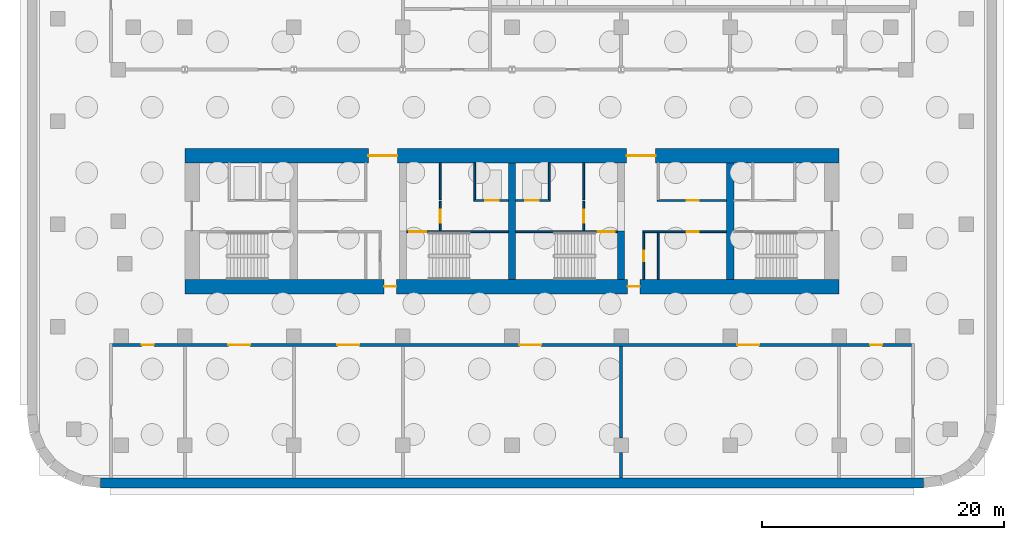
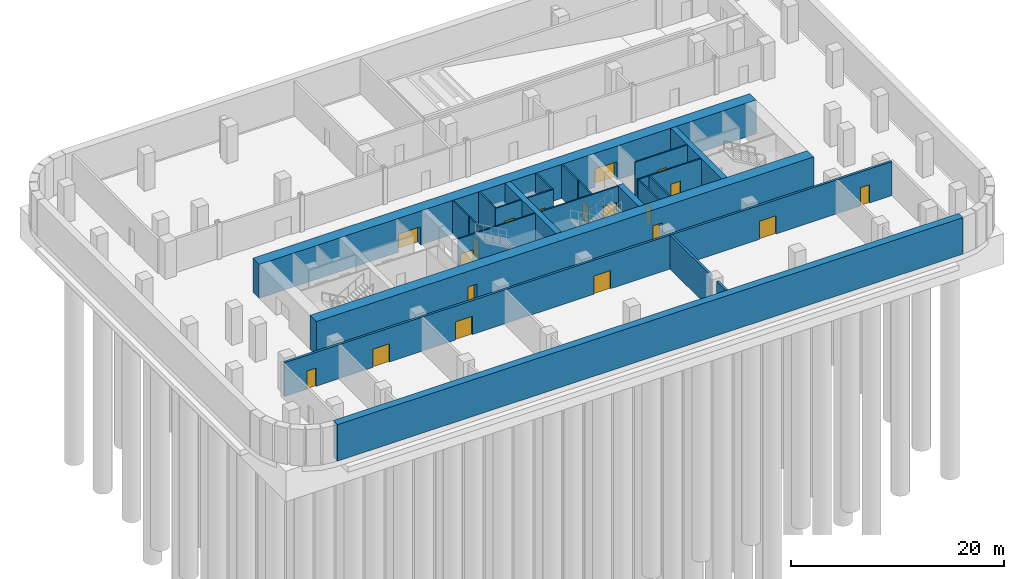
# One storey, part 4 of 8: 23 walls, 19 doors, 19 openings.
"""IFC4 building model written with IfcOpenShell, lengths in metres."""

from ifc_helpers import new_model, si_unit, direction, frame, frame_2d, origin, place, context, subcontext, project, spatial, rectangle, extrude, material, layer, layer_set, type_object, element, fill, save


model = new_model("IFC4")

# Units and contexts
model_context = context("Model", 3, precision=1e-05, world=origin(), true_north=direction((0.0, 1.0)))
body_context = subcontext(model_context, "Body", "Model", "MODEL_VIEW")
ifc_project = project(units=[si_unit("LENGTHUNIT", "METRE"), si_unit("AREAUNIT", "SQUARE_METRE"), si_unit("VOLUMEUNIT", "CUBIC_METRE"), si_unit("PLANEANGLEUNIT", "RADIAN"), si_unit("MASSUNIT", "GRAM", prefix="KILO")], contexts=[model_context])

# Site, building, storey
site_placement = place(None, origin())
site = spatial("IfcSite", under=ifc_project, at=site_placement, CompositionType="ELEMENT")
building_placement = place(site_placement, origin())
building = spatial("IfcBuilding", under=site, at=building_placement, Name="Zellij Exchange Tower", CompositionType="ELEMENT")
storey_placement = place(building_placement, frame((0.0, 0.0, -12.60009765625)))
storey = spatial("IfcBuildingStorey", under=building, at=storey_placement, Name="B3", CompositionType="ELEMENT", Elevation=-12.60009765625)

# Wall, openings, doors
ifc_material_1 = material(Name="Concrete C32/40", Category="concrete")
ifc_layer_1 = layer(ifc_material_1, 0.25)
ifc_layer_set_1 = layer_set([ifc_layer_1], Name="Concrete C32/40")
wall_type_1 = type_object("IfcWallType", Name="BSM-Wall 250", PredefinedType="SOLIDWALL", material=ifc_layer_set_1)
wall_1_placement = place(storey_placement, frame((-32.97509765625, -18.22509765625, 0.0), z_axis=(0.0, 0.0, 1.0), x_axis=(1.0, 0.0, 0.0)))
wall_1 = element("IfcWall", 1, at=wall_1_placement, inside=storey, type_object=wall_type_1, Name="Partition 1", PredefinedType="SOLIDWALL", context=body_context, shape_type="SweptSolid", body=[
    extrude(rectangle(XDim=65.9501953125, YDim=0.25, at=frame_2d((32.97509765625, 0.0))), origin(), (0.0, 0.0, 1.0), 3.900146484375),
])
opening_1_placement = place(wall_1_placement, frame((2.425048828125, 0.0, 0.0)))
opening_1 = element("IfcOpeningElement", 2, at=opening_1_placement, cuts=wall_1, Name="Opening BS3.01", PredefinedType="OPENING", context=body_context, shape_type="SweptSolid", body=[
    extrude(rectangle(XDim=1.0, YDim=2.10009765625, at=frame_2d((0.5, 1.050048828125))), frame((0.0, 0.136962890625, 0.0), z_axis=(0.0, -1.0, 0.0), x_axis=(1.0, 0.0, 0.0)), (0.0, 0.0, 1.0), 0.27392578125),
])
opening_2_placement = place(wall_1_placement, frame((9.574951171875, 0.0, 0.0)))
opening_2 = element("IfcOpeningElement", 3, at=opening_2_placement, cuts=wall_1, Name="Opening BS3.02", PredefinedType="OPENING", context=body_context, shape_type="SweptSolid", body=[
    extrude(rectangle(XDim=1.800048828125, YDim=2.10009765625, at=frame_2d((0.89990234375, 1.050048828125))), frame((0.0, 0.136962890625, 0.0), z_axis=(0.0, -1.0, 0.0), x_axis=(1.0, 0.0, 0.0)), (0.0, 0.0, 1.0), 0.27392578125),
])
opening_3_placement = place(wall_1_placement, frame((18.574951171875, 0.0, 0.0)))
opening_3 = element("IfcOpeningElement", 4, at=opening_3_placement, cuts=wall_1, Name="Opening BS3.03", PredefinedType="OPENING", context=body_context, shape_type="SweptSolid", body=[
    extrude(rectangle(XDim=1.800048828125, YDim=2.10009765625, at=frame_2d((0.89990234375, 1.050048828125))), frame((0.0, 0.136962890625, 0.0), z_axis=(0.0, -1.0, 0.0), x_axis=(1.0, 0.0, 0.0)), (0.0, 0.0, 1.0), 0.27392578125),
])
opening_4_placement = place(wall_1_placement, frame((33.574951171875, 0.0, 0.0)))
opening_4 = element("IfcOpeningElement", 5, at=opening_4_placement, cuts=wall_1, Name="Opening BS3.04", PredefinedType="OPENING", context=body_context, shape_type="SweptSolid", body=[
    extrude(rectangle(XDim=1.800048828125, YDim=2.10009765625, at=frame_2d((0.89990234375, 1.050048828125))), frame((0.0, 0.136962890625, 0.0), z_axis=(0.0, -1.0, 0.0), x_axis=(1.0, 0.0, 0.0)), (0.0, 0.0, 1.0), 0.27392578125),
])
opening_5_placement = place(wall_1_placement, frame((51.574951171875, 0.0, 0.0)))
opening_5 = element("IfcOpeningElement", 6, at=opening_5_placement, cuts=wall_1, Name="Opening BS3.05", PredefinedType="OPENING", context=body_context, shape_type="SweptSolid", body=[
    extrude(rectangle(XDim=1.800048828125, YDim=2.10009765625, at=frame_2d((0.89990234375, 1.050048828125))), frame((0.0, 0.136962890625, 0.0), z_axis=(0.0, -1.0, 0.0), x_axis=(1.0, 0.0, 0.0)), (0.0, 0.0, 1.0), 0.27392578125),
])
opening_6_placement = place(wall_1_placement, frame((62.52490234375, 0.0, 0.0)))
opening_6 = element("IfcOpeningElement", 7, at=opening_6_placement, cuts=wall_1, Name="Opening BS3.06", PredefinedType="OPENING", context=body_context, shape_type="SweptSolid", body=[
    extrude(rectangle(XDim=1.0, YDim=2.10009765625, at=frame_2d((0.5, 1.050048828125))), frame((0.0, 0.136962890625, 0.0), z_axis=(0.0, -1.0, 0.0), x_axis=(1.0, 0.0, 0.0)), (0.0, 0.0, 1.0), 0.27392578125),
])
ifc_material_2 = material(Name="Painted steel door leaf", Category="steel")
door_type_1 = type_object("IfcDoorType", Name="BSM-Door 1000x2100 FD90", OperationType="SINGLE_SWING_LEFT", PredefinedType="DOOR", material=ifc_material_2)
door_1_placement = place(opening_1_placement, origin())
door_1 = element("IfcDoor", 8, at=door_1_placement, inside=storey, type_object=door_type_1, Name="bsm.B3.door.BS3.01", OperationType="SINGLE_SWING_LEFT", OverallHeight=2.10009765625, OverallWidth=1.0, PredefinedType="DOOR", context=body_context, shape_type="SweptSolid", body=[
    extrude(rectangle(XDim=1.0, YDim=2.10009765625, at=frame_2d((0.5, 1.050048828125))), frame((0.0, 0.02490234375, 0.0), z_axis=(0.0, -1.0, 0.0), x_axis=(1.0, 0.0, 0.0)), (0.0, 0.0, 1.0), 0.050048828125),
])
fill(opening_1, door_1)
door_2_placement = place(opening_6_placement, origin())
door_2 = element("IfcDoor", 9, at=door_2_placement, inside=storey, type_object=door_type_1, Name="bsm.B3.door.BS3.06", OperationType="SINGLE_SWING_LEFT", OverallHeight=2.10009765625, OverallWidth=1.0, PredefinedType="DOOR", context=body_context, shape_type="SweptSolid", body=[
    extrude(rectangle(XDim=1.0, YDim=2.10009765625, at=frame_2d((0.5, 1.050048828125))), frame((0.0, 0.02490234375, 0.0), z_axis=(0.0, -1.0, 0.0), x_axis=(1.0, 0.0, 0.0)), (0.0, 0.0, 1.0), 0.050048828125),
])
fill(opening_6, door_2)
door_type_2 = type_object("IfcDoorType", Name="BSM-Double door 1800x2100 FD90", OperationType="DOUBLE_DOOR_SINGLE_SWING", PredefinedType="DOOR", material=ifc_material_2)
door_3_placement = place(opening_2_placement, origin())
door_3 = element("IfcDoor", 10, at=door_3_placement, inside=storey, type_object=door_type_2, Name="bsm.B3.door.BS3.02", OperationType="DOUBLE_DOOR_SINGLE_SWING", OverallHeight=2.10009765625, OverallWidth=1.800048828125, PredefinedType="DOOR", context=body_context, shape_type="SweptSolid", body=[
    extrude(rectangle(XDim=1.800048828125, YDim=2.10009765625, at=frame_2d((0.89990234375, 1.050048828125))), frame((0.0, 0.02490234375, 0.0), z_axis=(0.0, -1.0, 0.0), x_axis=(1.0, 0.0, 0.0)), (0.0, 0.0, 1.0), 0.050048828125),
])
fill(opening_2, door_3)
door_4_placement = place(opening_3_placement, origin())
door_4 = element("IfcDoor", 11, at=door_4_placement, inside=storey, type_object=door_type_2, Name="bsm.B3.door.BS3.03", OperationType="DOUBLE_DOOR_SINGLE_SWING", OverallHeight=2.10009765625, OverallWidth=1.800048828125, PredefinedType="DOOR", context=body_context, shape_type="SweptSolid", body=[
    extrude(rectangle(XDim=1.800048828125, YDim=2.10009765625, at=frame_2d((0.89990234375, 1.050048828125))), frame((0.0, 0.02490234375, 0.0), z_axis=(0.0, -1.0, 0.0), x_axis=(1.0, 0.0, 0.0)), (0.0, 0.0, 1.0), 0.050048828125),
])
fill(opening_3, door_4)
door_5_placement = place(opening_4_placement, origin())
door_5 = element("IfcDoor", 12, at=door_5_placement, inside=storey, type_object=door_type_2, Name="bsm.B3.door.BS3.04", OperationType="DOUBLE_DOOR_SINGLE_SWING", OverallHeight=2.10009765625, OverallWidth=1.800048828125, PredefinedType="DOOR", context=body_context, shape_type="SweptSolid", body=[
    extrude(rectangle(XDim=1.800048828125, YDim=2.10009765625, at=frame_2d((0.89990234375, 1.050048828125))), frame((0.0, 0.02490234375, 0.0), z_axis=(0.0, -1.0, 0.0), x_axis=(1.0, 0.0, 0.0)), (0.0, 0.0, 1.0), 0.050048828125),
])
fill(opening_4, door_5)
door_6_placement = place(opening_5_placement, origin())
door_6 = element("IfcDoor", 13, at=door_6_placement, inside=storey, type_object=door_type_2, Name="bsm.B3.door.BS3.05", OperationType="DOUBLE_DOOR_SINGLE_SWING", OverallHeight=2.10009765625, OverallWidth=1.800048828125, PredefinedType="DOOR", context=body_context, shape_type="SweptSolid", body=[
    extrude(rectangle(XDim=1.800048828125, YDim=2.10009765625, at=frame_2d((0.89990234375, 1.050048828125))), frame((0.0, 0.02490234375, 0.0), z_axis=(0.0, -1.0, 0.0), x_axis=(1.0, 0.0, 0.0)), (0.0, 0.0, 1.0), 0.050048828125),
])
fill(opening_5, door_6)

# Walls
wall_2_placement = place(storey_placement, frame((9.0, -29.199951171875, 0.0), z_axis=(0.0, 0.0, 1.0), x_axis=(0.0, 1.0, 0.0)))
element("IfcWall", 14, at=wall_2_placement, inside=storey, type_object=wall_type_1, Name="Partition 27", PredefinedType="SOLIDWALL", context=body_context, shape_type="SweptSolid", body=[
    extrude(rectangle(XDim=2.099853515625, YDim=0.25, at=frame_2d((1.0498046875, 0.0))), origin(), (0.0, 0.0, 1.0), 3.900146484375),
])
wall_3_placement = place(storey_placement, frame((9.0, -25.89990234375, 0.0), z_axis=(0.0, 0.0, 1.0), x_axis=(0.0, 1.0, 0.0)))
element("IfcWall", 15, at=wall_3_placement, inside=storey, type_object=wall_type_1, Name="Partition 28", PredefinedType="SOLIDWALL", context=body_context, shape_type="SweptSolid", body=[
    extrude(rectangle(XDim=7.5498046875, YDim=0.25, at=frame_2d((3.77490234375, 0.0))), origin(), (0.0, 0.0, 1.0), 3.900146484375),
])
ifc_material_3 = material(Name="Concrete C70/85", Category="concrete")
ifc_layer_2 = layer(ifc_material_3, 0.60009765625)
ifc_layer_set_2 = layer_set([ifc_layer_2], Name="Concrete C70/85")
wall_type_2 = type_object("IfcWallType", Name="CORE-CW 600 C70/85", PredefinedType="SHEAR", material=ifc_layer_set_2)
wall_4_placement = place(storey_placement, frame((0.0, -12.800048828125, 0.0), z_axis=(0.0, 0.0, 1.0), x_axis=(0.0, 1.0, 0.0)))
element("IfcWall", 16, at=wall_4_placement, inside=storey, type_object=wall_type_2, Name="Core cross wall x 0 B3", PredefinedType="SHEAR", context=body_context, shape_type="SweptSolid", body=[
    extrude(rectangle(XDim=9.60009765625, YDim=0.60009765625, at=frame_2d((4.800048828125, 0.0))), origin(), (0.0, 0.0, 1.0), 3.900146484375),
])
wall_5_placement = place(storey_placement, frame((9.0, -12.800048828125, 0.0), z_axis=(0.0, 0.0, 1.0), x_axis=(0.0, 1.0, 0.0)))
element("IfcWall", 17, at=wall_5_placement, inside=storey, type_object=wall_type_2, Name="Core cross wall pier x 9 a B3", PredefinedType="SHEAR", context=body_context, shape_type="SweptSolid", body=[
    extrude(rectangle(XDim=4.0, YDim=0.60009765625, at=frame_2d((2.0, 0.0))), origin(), (0.0, 0.0, 1.0), 3.900146484375),
])
wall_6_placement = place(storey_placement, frame((18.0, -12.800048828125, 0.0), z_axis=(0.0, 0.0, 1.0), x_axis=(0.0, 1.0, 0.0)))
element("IfcWall", 18, at=wall_6_placement, inside=storey, type_object=wall_type_2, Name="Core cross wall x 18 B3", PredefinedType="SHEAR", context=body_context, shape_type="SweptSolid", body=[
    extrude(rectangle(XDim=9.60009765625, YDim=0.60009765625, at=frame_2d((4.800048828125, 0.0))), origin(), (0.0, 0.0, 1.0), 3.900146484375),
])

# Wall, opening, door
ifc_material_4 = material(Name="Gypsum shaft wall system")
ifc_layer_3 = layer(ifc_material_4, 0.14990234375)
ifc_layer_set_3 = layer_set([ifc_layer_3], Name="Gypsum shaft wall system")
wall_type_3 = type_object("IfcWallType", Name="CORE-PW 150 Firefighting lobby wall", PredefinedType="PARTITIONING", material=ifc_layer_set_3)
wall_7_placement = place(storey_placement, frame((-5.925048828125, -8.800048828125, 0.0), z_axis=(0.0, 0.0, 1.0), x_axis=(0.0, 1.0, 0.0)))
wall_7 = element("IfcWall", 19, at=wall_7_placement, inside=storey, type_object=wall_type_3, Name="Firefighting lobby wall B3", PredefinedType="PARTITIONING", context=body_context, shape_type="SweptSolid", body=[
    extrude(rectangle(XDim=2.425048828125, YDim=0.14990234375, at=frame_2d((1.21240234375, 0.0))), origin(), (0.0, 0.0, 1.0), 3.900146484375),
])
opening_7_placement = place(wall_7_placement, frame((0.662109375, 0.0, 0.0)))
opening_7 = element("IfcOpeningElement", 20, at=opening_7_placement, cuts=wall_7, Name="Opening CA-01.11", PredefinedType="OPENING", context=body_context, shape_type="SweptSolid", body=[
    extrude(rectangle(XDim=1.10009765625, YDim=2.10009765625, at=frame_2d((0.550048828125, 1.050048828125))), frame((0.0, 0.0869140625, 0.0), z_axis=(0.0, -1.0, 0.0), x_axis=(1.0, 0.0, 0.0)), (0.0, 0.0, 1.0), 0.173828125),
])
ifc_material_5 = material(Name="Hollow metal fire door")
door_type_3 = type_object("IfcDoorType", Name="CORE-D F Firefighting lobby door 1100x2100 1 HR", OperationType="NOTDEFINED", PredefinedType="DOOR", material=ifc_material_5)
door_7_placement = place(opening_7_placement, origin())
door_7 = element("IfcDoor", 21, at=door_7_placement, inside=storey, type_object=door_type_3, Name="Firefighting lobby door CA-01.11", OperationType="SINGLE_SWING_LEFT", OverallHeight=2.10009765625, OverallWidth=1.10009765625, PredefinedType="DOOR", context=body_context, shape_type="SweptSolid", body=[
    extrude(rectangle(XDim=1.10009765625, YDim=2.10009765625, at=frame_2d((0.550048828125, 1.050048828125))), frame((0.0, 0.02490234375, 0.0), z_axis=(0.0, -1.0, 0.0), x_axis=(1.0, 0.0, 0.0)), (0.0, 0.0, 1.0), 0.050048828125),
])
fill(opening_7, door_7)

wall_8_placement = place(storey_placement, frame((5.925048828125, -8.800048828125, 0.0), z_axis=(0.0, 0.0, 1.0), x_axis=(0.0, 1.0, 0.0)))
wall_8 = element("IfcWall", 22, at=wall_8_placement, inside=storey, type_object=wall_type_3, Name="Firefighting lobby wall B3", PredefinedType="PARTITIONING", context=body_context, shape_type="SweptSolid", body=[
    extrude(rectangle(XDim=2.425048828125, YDim=0.14990234375, at=frame_2d((1.21240234375, 0.0))), origin(), (0.0, 0.0, 1.0), 3.900146484375),
])
opening_8_placement = place(wall_8_placement, frame((0.662109375, 0.0, 0.0)))
opening_8 = element("IfcOpeningElement", 23, at=opening_8_placement, cuts=wall_8, Name="Opening CA-01.14", PredefinedType="OPENING", context=body_context, shape_type="SweptSolid", body=[
    extrude(rectangle(XDim=1.10009765625, YDim=2.10009765625, at=frame_2d((0.550048828125, 1.050048828125))), frame((0.0, 0.0869140625, 0.0), z_axis=(0.0, -1.0, 0.0), x_axis=(1.0, 0.0, 0.0)), (0.0, 0.0, 1.0), 0.173828125),
])
door_8_placement = place(opening_8_placement, origin())
door_8 = element("IfcDoor", 24, at=door_8_placement, inside=storey, type_object=door_type_3, Name="Firefighting lobby door CA-01.14", OperationType="SINGLE_SWING_RIGHT", OverallHeight=2.10009765625, OverallWidth=1.10009765625, PredefinedType="DOOR", context=body_context, shape_type="SweptSolid", body=[
    extrude(rectangle(XDim=1.10009765625, YDim=2.10009765625, at=frame_2d((0.550048828125, 1.050048828125))), frame((0.0, 0.02490234375, 0.0), z_axis=(0.0, -1.0, 0.0), x_axis=(1.0, 0.0, 0.0)), (0.0, 0.0, 1.0), 0.050048828125),
])
fill(opening_8, door_8)

# Walls
ifc_layer_4 = layer(ifc_material_4, 0.14990234375)
ifc_layer_set_4 = layer_set([ifc_layer_4], Name="Gypsum shaft wall system")
wall_type_4 = type_object("IfcWallType", Name="CORE-PW 150 Lift shaft wall", PredefinedType="PARTITIONING", material=ifc_layer_set_4)
for number, where, z_axis, x_axis, name in (
    (25, (-3.074951171875, -6.22509765625, 0.0), (0.0, 0.0, 1.0), (0.0, 1.0, 0.0), "Lift shaft wall B3"),
    (26, (3.074951171875, -6.22509765625, 0.0), (0.0, 0.0, 1.0), (0.0, 1.0, 0.0), "Lift shaft wall B3"),
):
    element("IfcWall", number, at=place(storey_placement, frame(where, z_axis=z_axis, x_axis=x_axis)), inside=storey, type_object=wall_type_4, Name=name, PredefinedType="PARTITIONING", context=body_context, shape_type="SweptSolid", body=[
        extrude(rectangle(XDim=3.025146484375, YDim=0.14990234375, at=frame_2d((1.5126953125, 0.0))), origin(), (0.0, 0.0, 1.0), 3.900146484375),
    ])

# Wall, opening, door
wall_9_placement = place(storey_placement, frame((-3.14990234375, -6.300048828125, 0.0), z_axis=(0.0, 0.0, 1.0), x_axis=(1.0, 0.0, 0.0)))
wall_9 = element("IfcWall", 27, at=wall_9_placement, inside=storey, type_object=wall_type_4, Name="Lift shaft wall B3", PredefinedType="PARTITIONING", context=body_context, shape_type="SweptSolid", body=[
    extrude(rectangle(XDim=2.849853515625, YDim=0.14990234375, at=frame_2d((1.4248046875, 0.0))), origin(), (0.0, 0.0, 1.0), 3.900146484375),
])
opening_9_placement = place(wall_9_placement, frame((0.949951171875, 0.0, 0.0)))
opening_9 = element("IfcOpeningElement", 28, at=opening_9_placement, cuts=wall_9, Name="Opening CA-01.12", PredefinedType="OPENING", context=body_context, shape_type="SweptSolid", body=[
    extrude(rectangle(XDim=1.10009765625, YDim=2.10009765625, at=frame_2d((0.550048828125, 1.050048828125))), frame((0.0, 0.0869140625, 0.0), z_axis=(0.0, -1.0, 0.0), x_axis=(1.0, 0.0, 0.0)), (0.0, 0.0, 1.0), 0.173828125),
])
door_type_4 = type_object("IfcDoorType", Name="CORE-D LD Lift landing door 1100x2100 1.5 HR", OperationType="NOTDEFINED", PredefinedType="DOOR", material=ifc_material_5)
door_9_placement = place(opening_9_placement, origin())
door_9 = element("IfcDoor", 29, at=door_9_placement, inside=storey, type_object=door_type_4, Name="Lift landing door CA-01.12", OperationType="SLIDING_TO_RIGHT", OverallHeight=2.10009765625, OverallWidth=1.10009765625, PredefinedType="DOOR", context=body_context, shape_type="SweptSolid", body=[
    extrude(rectangle(XDim=1.10009765625, YDim=2.10009765625, at=frame_2d((0.550048828125, 1.050048828125))), frame((0.0, 0.02490234375, 0.0), z_axis=(0.0, -1.0, 0.0), x_axis=(1.0, 0.0, 0.0)), (0.0, 0.0, 1.0), 0.050048828125),
])
fill(opening_9, door_9)

wall_10_placement = place(storey_placement, frame((0.300048828125, -6.300048828125, 0.0), z_axis=(0.0, 0.0, 1.0), x_axis=(1.0, 0.0, 0.0)))
wall_10 = element("IfcWall", 30, at=wall_10_placement, inside=storey, type_object=wall_type_4, Name="Lift shaft wall B3", PredefinedType="PARTITIONING", context=body_context, shape_type="SweptSolid", body=[
    extrude(rectangle(XDim=2.849853515625, YDim=0.14990234375, at=frame_2d((1.4248046875, 0.0))), origin(), (0.0, 0.0, 1.0), 3.900146484375),
])
opening_10_placement = place(wall_10_placement, frame((0.800048828125, 0.0, 0.0)))
opening_10 = element("IfcOpeningElement", 31, at=opening_10_placement, cuts=wall_10, Name="Opening CA-01.13", PredefinedType="OPENING", context=body_context, shape_type="SweptSolid", body=[
    extrude(rectangle(XDim=1.10009765625, YDim=2.10009765625, at=frame_2d((0.550048828125, 1.050048828125))), frame((0.0, 0.0869140625, 0.0), z_axis=(0.0, -1.0, 0.0), x_axis=(1.0, 0.0, 0.0)), (0.0, 0.0, 1.0), 0.173828125),
])
door_10_placement = place(opening_10_placement, origin())
door_10 = element("IfcDoor", 32, at=door_10_placement, inside=storey, type_object=door_type_4, Name="Lift landing door CA-01.13", OperationType="SLIDING_TO_LEFT", OverallHeight=2.10009765625, OverallWidth=1.10009765625, PredefinedType="DOOR", context=body_context, shape_type="SweptSolid", body=[
    extrude(rectangle(XDim=1.10009765625, YDim=2.10009765625, at=frame_2d((0.550048828125, 1.050048828125))), frame((0.0, 0.02490234375, 0.0), z_axis=(0.0, -1.0, 0.0), x_axis=(1.0, 0.0, 0.0)), (0.0, 0.0, 1.0), 0.050048828125),
])
fill(opening_10, door_10)

# Walls
ifc_layer_5 = layer(ifc_material_4, 0.14990234375)
ifc_layer_set_5 = layer_set([ifc_layer_5], Name="Gypsum shaft wall system")
wall_type_5 = type_object("IfcWallType", Name="CORE-PW 150 Plant room wall", PredefinedType="PARTITIONING", material=ifc_layer_set_5)
for number, where, z_axis, x_axis, name in (
    (33, (-5.925048828125, -6.22509765625, 0.0), (0.0, 0.0, 1.0), (0.0, 1.0, 0.0), "Plant room wall B3"),
    (34, (5.925048828125, -6.22509765625, 0.0), (0.0, 0.0, 1.0), (0.0, 1.0, 0.0), "Plant room wall B3"),
):
    element("IfcWall", number, at=place(storey_placement, frame(where, z_axis=z_axis, x_axis=x_axis)), inside=storey, type_object=wall_type_5, Name=name, PredefinedType="PARTITIONING", context=body_context, shape_type="SweptSolid", body=[
        extrude(rectangle(XDim=3.025146484375, YDim=0.14990234375, at=frame_2d((1.5126953125, 0.0))), origin(), (0.0, 0.0, 1.0), 3.900146484375),
    ])

# Wall, opening, door
wall_11_placement = place(storey_placement, frame((10.875, -12.800048828125, 0.0), z_axis=(0.0, 0.0, 1.0), x_axis=(0.0, 1.0, 0.0)))
wall_11 = element("IfcWall", 35, at=wall_11_placement, inside=storey, type_object=wall_type_5, Name="Plant room wall B3", PredefinedType="PARTITIONING", context=body_context, shape_type="SweptSolid", body=[
    extrude(rectangle(XDim=3.85009765625, YDim=0.14990234375, at=frame_2d((1.925048828125, 0.0))), origin(), (0.0, 0.0, 1.0), 3.900146484375),
])
opening_11_placement = place(wall_11_placement, frame((1.47509765625, 0.0, 0.0)))
opening_11 = element("IfcOpeningElement", 36, at=opening_11_placement, cuts=wall_11, Name="Opening CA-01.18", PredefinedType="OPENING", context=body_context, shape_type="SweptSolid", body=[
    extrude(rectangle(XDim=0.89990234375, YDim=2.10009765625, at=frame_2d((0.449951171875, 1.050048828125))), frame((0.0, 0.0869140625, 0.0), z_axis=(0.0, -1.0, 0.0), x_axis=(1.0, 0.0, 0.0)), (0.0, 0.0, 1.0), 0.173828125),
])
door_type_5 = type_object("IfcDoorType", Name="CORE-D RD Riser door 900x2100 1.5 HR", OperationType="NOTDEFINED", PredefinedType="DOOR", material=ifc_material_5)
door_11_placement = place(opening_11_placement, origin())
door_11 = element("IfcDoor", 37, at=door_11_placement, inside=storey, type_object=door_type_5, Name="Riser door CA-01.18", OperationType="SINGLE_SWING_LEFT", OverallHeight=2.10009765625, OverallWidth=0.89990234375, PredefinedType="DOOR", context=body_context, shape_type="SweptSolid", body=[
    extrude(rectangle(XDim=0.89990234375, YDim=2.10009765625, at=frame_2d((0.449951171875, 1.050048828125))), frame((0.0, 0.02490234375, 0.0), z_axis=(0.0, -1.0, 0.0), x_axis=(1.0, 0.0, 0.0)), (0.0, 0.0, 1.0), 0.050048828125),
])
fill(opening_11, door_11)

# Wall
wall_12_placement = place(storey_placement, frame((12.074951171875, -12.800048828125, 0.0), z_axis=(0.0, 0.0, 1.0), x_axis=(0.0, 1.0, 0.0)))
element("IfcWall", 38, at=wall_12_placement, inside=storey, type_object=wall_type_5, Name="Plant room wall B3", PredefinedType="PARTITIONING", context=body_context, shape_type="SweptSolid", body=[
    extrude(rectangle(XDim=3.85009765625, YDim=0.14990234375, at=frame_2d((1.925048828125, 0.0))), origin(), (0.0, 0.0, 1.0), 3.900146484375),
])

# Wall, opening, door
wall_13_placement = place(storey_placement, frame((12.0, -6.300048828125, 0.0), z_axis=(0.0, 0.0, 1.0), x_axis=(1.0, 0.0, 0.0)))
wall_13 = element("IfcWall", 39, at=wall_13_placement, inside=storey, type_object=wall_type_5, Name="Plant room wall B3", PredefinedType="PARTITIONING", context=body_context, shape_type="SweptSolid", body=[
    extrude(rectangle(XDim=5.699951171875, YDim=0.14990234375, at=frame_2d((2.85009765625, 0.0))), origin(), (0.0, 0.0, 1.0), 3.900146484375),
])
opening_12_placement = place(wall_13_placement, frame((2.425048828125, 0.0, 0.0)))
opening_12 = element("IfcOpeningElement", 40, at=opening_12_placement, cuts=wall_13, Name="Opening CA-01.20", PredefinedType="OPENING", context=body_context, shape_type="SweptSolid", body=[
    extrude(rectangle(XDim=1.0, YDim=2.10009765625, at=frame_2d((0.5, 1.050048828125))), frame((0.0, 0.0869140625, 0.0), z_axis=(0.0, -1.0, 0.0), x_axis=(1.0, 0.0, 0.0)), (0.0, 0.0, 1.0), 0.173828125),
])
door_type_6 = type_object("IfcDoorType", Name="CORE-D CDA Core room door 1000x2100 1.5 HR", OperationType="NOTDEFINED", PredefinedType="DOOR", material=ifc_material_5)
door_12_placement = place(opening_12_placement, origin())
door_12 = element("IfcDoor", 41, at=door_12_placement, inside=storey, type_object=door_type_6, Name="Core room door CA-01.20", OperationType="SINGLE_SWING_RIGHT", OverallHeight=2.10009765625, OverallWidth=1.0, PredefinedType="DOOR", context=body_context, shape_type="SweptSolid", body=[
    extrude(rectangle(XDim=1.0, YDim=2.10009765625, at=frame_2d((0.5, 1.050048828125))), frame((0.0, 0.02490234375, 0.0), z_axis=(0.0, -1.0, 0.0), x_axis=(1.0, 0.0, 0.0)), (0.0, 0.0, 1.0), 0.050048828125),
])
fill(opening_12, door_12)

wall_14_placement = place(storey_placement, frame((10.800048828125, -8.875, 0.0), z_axis=(0.0, 0.0, 1.0), x_axis=(1.0, 0.0, 0.0)))
wall_14 = element("IfcWall", 42, at=wall_14_placement, inside=storey, type_object=wall_type_5, Name="Plant room wall B3", PredefinedType="PARTITIONING", context=body_context, shape_type="SweptSolid", body=[
    extrude(rectangle(XDim=6.89990234375, YDim=0.14990234375, at=frame_2d((3.449951171875, 0.0))), origin(), (0.0, 0.0, 1.0), 3.900146484375),
])
opening_13_placement = place(wall_14_placement, frame((3.625, 0.0, 0.0)))
opening_13 = element("IfcOpeningElement", 43, at=opening_13_placement, cuts=wall_14, Name="Opening CA-01.19", PredefinedType="OPENING", context=body_context, shape_type="SweptSolid", body=[
    extrude(rectangle(XDim=1.0, YDim=2.10009765625, at=frame_2d((0.5, 1.050048828125))), frame((0.0, 0.0869140625, 0.0), z_axis=(0.0, -1.0, 0.0), x_axis=(1.0, 0.0, 0.0)), (0.0, 0.0, 1.0), 0.173828125),
])
door_13_placement = place(opening_13_placement, origin())
door_13 = element("IfcDoor", 44, at=door_13_placement, inside=storey, type_object=door_type_6, Name="Core room door CA-01.19", OperationType="SINGLE_SWING_LEFT", OverallHeight=2.10009765625, OverallWidth=1.0, PredefinedType="DOOR", context=body_context, shape_type="SweptSolid", body=[
    extrude(rectangle(XDim=1.0, YDim=2.10009765625, at=frame_2d((0.5, 1.050048828125))), frame((0.0, 0.02490234375, 0.0), z_axis=(0.0, -1.0, 0.0), x_axis=(1.0, 0.0, 0.0)), (0.0, 0.0, 1.0), 0.050048828125),
])
fill(opening_13, door_13)

# Wall, openings, doors
ifc_layer_6 = layer(ifc_material_3, 1.199951171875)
ifc_layer_set_6 = layer_set([ifc_layer_6], Name="Concrete C70/85")
wall_type_6 = type_object("IfcWallType", Name="CORE-SW 1200 C70/85", PredefinedType="SHEAR", material=ifc_layer_set_6)
wall_15_placement = place(storey_placement, frame((-27.0, -2.60009765625, 0.0), z_axis=(0.0, 0.0, 1.0), x_axis=(1.0, 0.0, 0.0)))
wall_15 = element("IfcWall", 45, at=wall_15_placement, inside=storey, type_object=wall_type_6, Name="Core shear wall front B3", PredefinedType="SHEAR", context=body_context, shape_type="SweptSolid", body=[
    extrude(rectangle(XDim=54.0, YDim=1.199951171875, at=frame_2d((27.0, 0.0))), origin(), (0.0, 0.0, 1.0), 3.900146484375),
])
opening_14_placement = place(wall_15_placement, frame((15.14990234375, 0.0, 0.0)))
opening_14 = element("IfcOpeningElement", 46, at=opening_14_placement, cuts=wall_15, Name="Opening CA-01.08", PredefinedType="OPENING", context=body_context, shape_type="SweptSolid", body=[
    extrude(rectangle(XDim=2.39990234375, YDim=2.10009765625, at=frame_2d((1.199951171875, 1.050048828125))), frame((0.0, 0.61181640625, 0.0), z_axis=(0.0, -1.0, 0.0), x_axis=(1.0, 0.0, 0.0)), (0.0, 0.0, 1.0), 1.223876953125),
])
opening_15_placement = place(wall_15_placement, frame((36.449951171875, 0.0, 0.0)))
opening_15 = element("IfcOpeningElement", 47, at=opening_15_placement, cuts=wall_15, Name="Opening CA-01.17", PredefinedType="OPENING", context=body_context, shape_type="SweptSolid", body=[
    extrude(rectangle(XDim=2.39990234375, YDim=2.10009765625, at=frame_2d((1.199951171875, 1.050048828125))), frame((0.0, 0.61181640625, 0.0), z_axis=(0.0, -1.0, 0.0), x_axis=(1.0, 0.0, 0.0)), (0.0, 0.0, 1.0), 1.223876953125),
])
door_type_7 = type_object("IfcDoorType", Name="CORE-D CE Core entrance door 2400x2100 20 MIN", OperationType="NOTDEFINED", PredefinedType="DOOR", material=ifc_material_5)
door_14_placement = place(opening_14_placement, origin())
door_14 = element("IfcDoor", 48, at=door_14_placement, inside=storey, type_object=door_type_7, Name="Core entrance door CA-01.08", OperationType="DOUBLE_DOOR_SINGLE_SWING", OverallHeight=2.10009765625, OverallWidth=2.39990234375, PredefinedType="DOOR", context=body_context, shape_type="SweptSolid", body=[
    extrude(rectangle(XDim=2.39990234375, YDim=2.10009765625, at=frame_2d((1.199951171875, 1.050048828125))), frame((0.0, 0.02490234375, 0.0), z_axis=(0.0, -1.0, 0.0), x_axis=(1.0, 0.0, 0.0)), (0.0, 0.0, 1.0), 0.050048828125),
])
fill(opening_14, door_14)
door_15_placement = place(opening_15_placement, origin())
door_15 = element("IfcDoor", 49, at=door_15_placement, inside=storey, type_object=door_type_7, Name="Core entrance door CA-01.17", OperationType="DOUBLE_DOOR_SINGLE_SWING", OverallHeight=2.10009765625, OverallWidth=2.39990234375, PredefinedType="DOOR", context=body_context, shape_type="SweptSolid", body=[
    extrude(rectangle(XDim=2.39990234375, YDim=2.10009765625, at=frame_2d((1.199951171875, 1.050048828125))), frame((0.0, 0.02490234375, 0.0), z_axis=(0.0, -1.0, 0.0), x_axis=(1.0, 0.0, 0.0)), (0.0, 0.0, 1.0), 0.050048828125),
])
fill(opening_15, door_15)

wall_16_placement = place(storey_placement, frame((-27.0, -13.39990234375, 0.0), z_axis=(0.0, 0.0, 1.0), x_axis=(1.0, 0.0, 0.0)))
wall_16 = element("IfcWall", 50, at=wall_16_placement, inside=storey, type_object=wall_type_6, Name="Core shear wall rear B3", PredefinedType="SHEAR", context=body_context, shape_type="SweptSolid", body=[
    extrude(rectangle(XDim=54.0, YDim=1.199951171875, at=frame_2d((27.0, 0.0))), origin(), (0.0, 0.0, 1.0), 3.900146484375),
])
opening_16_placement = place(wall_16_placement, frame((16.449951171875, 0.0, 0.0)))
opening_16 = element("IfcOpeningElement", 51, at=opening_16_placement, cuts=wall_16, Name="Opening CA-01.09", PredefinedType="OPENING", context=body_context, shape_type="SweptSolid", body=[
    extrude(rectangle(XDim=1.0, YDim=2.10009765625, at=frame_2d((0.5, 1.050048828125))), frame((0.0, 0.61181640625, 0.0), z_axis=(0.0, -1.0, 0.0), x_axis=(1.0, 0.0, 0.0)), (0.0, 0.0, 1.0), 1.223876953125),
])
opening_17_placement = place(wall_16_placement, frame((36.550048828125, 0.0, 0.0)))
opening_17 = element("IfcOpeningElement", 52, at=opening_17_placement, cuts=wall_16, Name="Opening CA-01.16", PredefinedType="OPENING", context=body_context, shape_type="SweptSolid", body=[
    extrude(rectangle(XDim=1.0, YDim=2.10009765625, at=frame_2d((0.5, 1.050048828125))), frame((0.0, 0.61181640625, 0.0), z_axis=(0.0, -1.0, 0.0), x_axis=(1.0, 0.0, 0.0)), (0.0, 0.0, 1.0), 1.223876953125),
])
door_type_8 = type_object("IfcDoorType", Name="CORE-D CR Core rear door 1000x2100 20 MIN", OperationType="NOTDEFINED", PredefinedType="DOOR", material=ifc_material_5)
door_16_placement = place(opening_16_placement, origin())
door_16 = element("IfcDoor", 53, at=door_16_placement, inside=storey, type_object=door_type_8, Name="Core rear door CA-01.09", OperationType="SINGLE_SWING_RIGHT", OverallHeight=2.10009765625, OverallWidth=1.0, PredefinedType="DOOR", context=body_context, shape_type="SweptSolid", body=[
    extrude(rectangle(XDim=1.0, YDim=2.10009765625, at=frame_2d((0.5, 1.050048828125))), frame((0.0, 0.02490234375, 0.0), z_axis=(0.0, -1.0, 0.0), x_axis=(1.0, 0.0, 0.0)), (0.0, 0.0, 1.0), 0.050048828125),
])
fill(opening_16, door_16)
door_17_placement = place(opening_17_placement, origin())
door_17 = element("IfcDoor", 54, at=door_17_placement, inside=storey, type_object=door_type_8, Name="Core rear door CA-01.16", OperationType="SINGLE_SWING_LEFT", OverallHeight=2.10009765625, OverallWidth=1.0, PredefinedType="DOOR", context=body_context, shape_type="SweptSolid", body=[
    extrude(rectangle(XDim=1.0, YDim=2.10009765625, at=frame_2d((0.5, 1.050048828125))), frame((0.0, 0.02490234375, 0.0), z_axis=(0.0, -1.0, 0.0), x_axis=(1.0, 0.0, 0.0)), (0.0, 0.0, 1.0), 0.050048828125),
])
fill(opening_17, door_17)

# Wall, opening, door
ifc_layer_7 = layer(ifc_material_3, 0.14990234375)
ifc_layer_set_7 = layer_set([ifc_layer_7], Name="Concrete C70/85")
wall_type_7 = type_object("IfcWallType", Name="CORE-SWS 150 C70/85", PredefinedType="SHEAR", material=ifc_layer_set_7)
wall_17_placement = place(storey_placement, frame((-8.699951171875, -8.875, 0.0), z_axis=(0.0, 0.0, 1.0), x_axis=(1.0, 0.0, 0.0)))
wall_17 = element("IfcWall", 55, at=wall_17_placement, inside=storey, type_object=wall_type_7, Name="Stair enclosure wall B3", PredefinedType="SHEAR", context=body_context, shape_type="SweptSolid", body=[
    extrude(rectangle(XDim=8.39990234375, YDim=0.14990234375, at=frame_2d((4.199951171875, 0.0))), origin(), (0.0, 0.0, 1.0), 3.900146484375),
])
opening_18_placement = place(wall_17_placement, frame((0.22509765625, 0.0, 0.0)))
opening_18 = element("IfcOpeningElement", 56, at=opening_18_placement, cuts=wall_17, Name="Opening CA-01.10", PredefinedType="OPENING", context=body_context, shape_type="SweptSolid", body=[
    extrude(rectangle(XDim=1.39990234375, YDim=2.10009765625, at=frame_2d((0.699951171875, 1.050048828125))), frame((0.0, 0.0869140625, 0.0), z_axis=(0.0, -1.0, 0.0), x_axis=(1.0, 0.0, 0.0)), (0.0, 0.0, 1.0), 0.173828125),
])
door_type_9 = type_object("IfcDoorType", Name="CORE-D SD Stair door 1400x2100 1.5 HR", OperationType="NOTDEFINED", PredefinedType="DOOR", material=ifc_material_5)
door_18_placement = place(opening_18_placement, origin())
door_18 = element("IfcDoor", 57, at=door_18_placement, inside=storey, type_object=door_type_9, Name="Stair door CA-01.10", OperationType="DOUBLE_DOOR_SINGLE_SWING", OverallHeight=2.10009765625, OverallWidth=1.39990234375, PredefinedType="DOOR", context=body_context, shape_type="SweptSolid", body=[
    extrude(rectangle(XDim=1.39990234375, YDim=2.10009765625, at=frame_2d((0.699951171875, 1.050048828125))), frame((0.0, 0.02490234375, 0.0), z_axis=(0.0, -1.0, 0.0), x_axis=(1.0, 0.0, 0.0)), (0.0, 0.0, 1.0), 0.050048828125),
])
fill(opening_18, door_18)

wall_18_placement = place(storey_placement, frame((0.300048828125, -8.875, 0.0), z_axis=(0.0, 0.0, 1.0), x_axis=(1.0, 0.0, 0.0)))
wall_18 = element("IfcWall", 58, at=wall_18_placement, inside=storey, type_object=wall_type_7, Name="Stair enclosure wall B3", PredefinedType="SHEAR", context=body_context, shape_type="SweptSolid", body=[
    extrude(rectangle(XDim=8.39990234375, YDim=0.14990234375, at=frame_2d((4.199951171875, 0.0))), origin(), (0.0, 0.0, 1.0), 3.900146484375),
])
opening_19_placement = place(wall_18_placement, frame((6.77490234375, 0.0, 0.0)))
opening_19 = element("IfcOpeningElement", 59, at=opening_19_placement, cuts=wall_18, Name="Opening CA-01.15", PredefinedType="OPENING", context=body_context, shape_type="SweptSolid", body=[
    extrude(rectangle(XDim=1.39990234375, YDim=2.10009765625, at=frame_2d((0.699951171875, 1.050048828125))), frame((0.0, 0.0869140625, 0.0), z_axis=(0.0, -1.0, 0.0), x_axis=(1.0, 0.0, 0.0)), (0.0, 0.0, 1.0), 0.173828125),
])
door_19_placement = place(opening_19_placement, origin())
door_19 = element("IfcDoor", 60, at=door_19_placement, inside=storey, type_object=door_type_9, Name="Stair door CA-01.15", OperationType="DOUBLE_DOOR_SINGLE_SWING", OverallHeight=2.10009765625, OverallWidth=1.39990234375, PredefinedType="DOOR", context=body_context, shape_type="SweptSolid", body=[
    extrude(rectangle(XDim=1.39990234375, YDim=2.10009765625, at=frame_2d((0.699951171875, 1.050048828125))), frame((0.0, 0.02490234375, 0.0), z_axis=(0.0, -1.0, 0.0), x_axis=(1.0, 0.0, 0.0)), (0.0, 0.0, 1.0), 0.050048828125),
])
fill(opening_19, door_19)

# Wall
ifc_material_6 = material(Name="Concrete C40/50", Category="concrete")
ifc_layer_8 = layer(ifc_material_6, 0.800048828125)
ifc_layer_set_8 = layer_set([ifc_layer_8], Name="Concrete C40/50")
wall_type_8 = type_object("IfcWallType", Name="STR-RETAINING WALL 800 C40/50", PredefinedType="SOLIDWALL", material=ifc_layer_set_8)
wall_19_placement = place(storey_placement, frame((33.947509765625, -29.60009765625, 0.0), z_axis=(0.0, 0.0, 1.0), x_axis=(-1.0, 0.0, 0.0)))
element("IfcWall", 61, at=wall_19_placement, inside=storey, type_object=wall_type_8, Name="Retaining wall B3", PredefinedType="SOLIDWALL", context=body_context, shape_type="SweptSolid", body=[
    extrude(rectangle(XDim=67.89501953125, YDim=0.800048828125, at=frame_2d((33.947509765625, 0.0))), origin(), (0.0, 0.0, 1.0), 4.2001953125),
])

save(model, "model.ifc")
